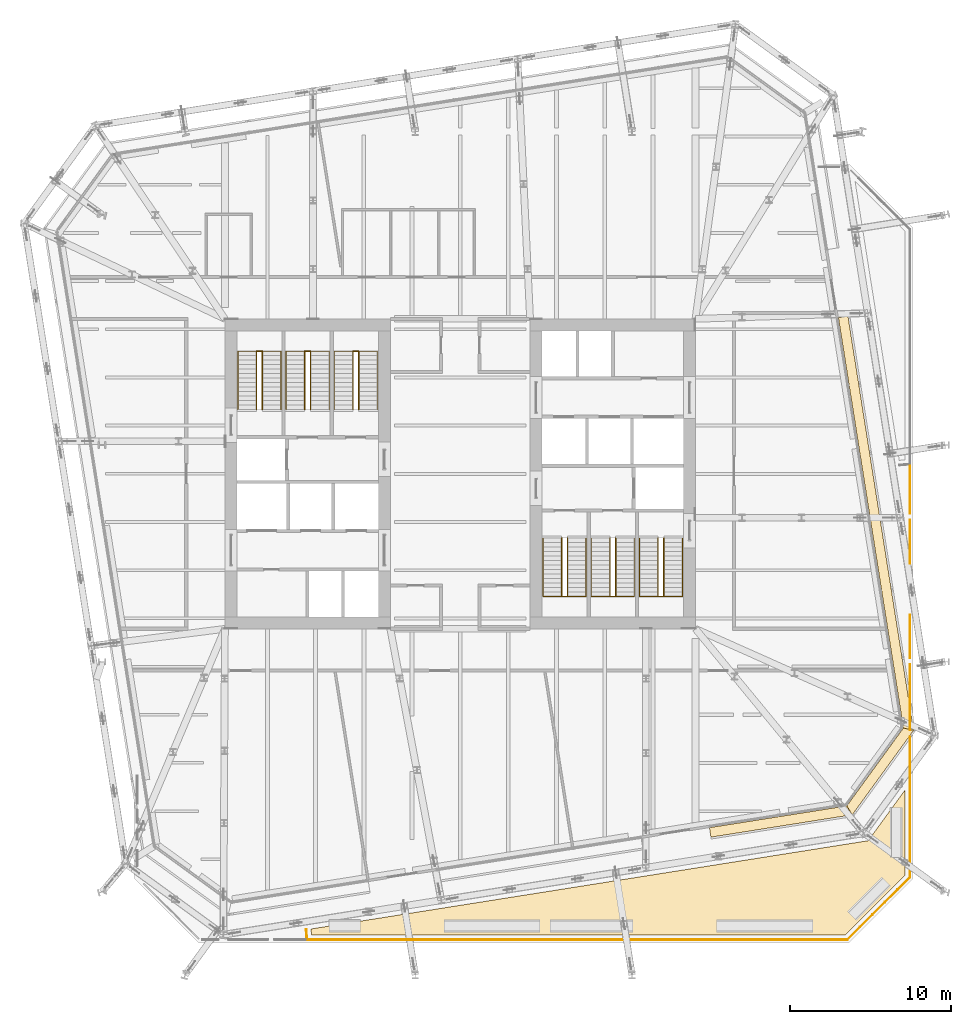
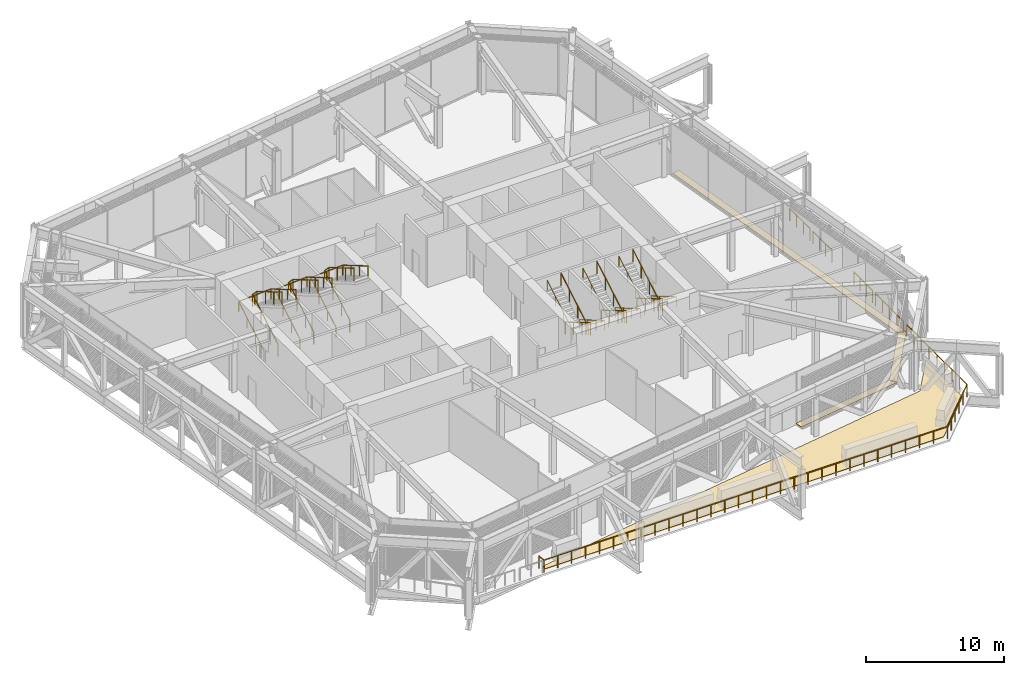
# One storey, part 30 of 32: 18 railings, 4 coverings.
"""IFC4 building model written with IfcOpenShell, lengths in metres."""

from ifc_helpers import new_model, si_unit, direction, frame, origin, origin_2d, place, context, subcontext, project, spatial, polyline, circle, outline, extrude, material, layer, layer_set, type_object, element, save


model = new_model("IFC4")

# Units and contexts
model_context = context("Model", 3, precision=1e-05, world=origin(), true_north=direction((0.0, 1.0)))
body_context = subcontext(model_context, "Body", "Model", "MODEL_VIEW")
ifc_project = project(units=[si_unit("LENGTHUNIT", "METRE"), si_unit("AREAUNIT", "SQUARE_METRE"), si_unit("VOLUMEUNIT", "CUBIC_METRE"), si_unit("PLANEANGLEUNIT", "RADIAN"), si_unit("MASSUNIT", "GRAM", prefix="KILO")], contexts=[model_context])

# Site, building, storey
site_placement = place(None, origin())
site = spatial("IfcSite", under=ifc_project, at=site_placement, CompositionType="ELEMENT")
building_placement = place(site_placement, origin())
building = spatial("IfcBuilding", under=site, at=building_placement, Name="Millrace Tower", CompositionType="ELEMENT")
storey_placement = place(building_placement, frame((0.0, 0.0, 124.89990234375)))
storey = spatial("IfcBuildingStorey", under=building, at=storey_placement, Name="L27", CompositionType="ELEMENT", Elevation=124.89990234375)

# Coverings
ifc_material_1 = material(Name="Steel ASTM A36", Category="steel")
ifc_layer_1 = layer(ifc_material_1, 0.050048828125)
ifc_layer_set_1 = layer_set([ifc_layer_1], Name="Steel ASTM A36")
covering_type_1 = type_object("IfcCoveringType", Name="CAVITY CATWALK steel grating", PredefinedType="FLOORING", material=ifc_layer_set_1)
placement = place(storey_placement, frame((0.0, 0.0, 0.10009765625)))
element("IfcCovering", 1, at=placement, inside=storey, type_object=covering_type_1, Name="Cavity catwalk grating C-F02 L27 3", PredefinedType="FLOORING", context=body_context, shape_type="SweptSolid", body=[
    extrude(outline(polyline([(15.611083984375, -22.619873046875), (24.412109375, -21.225830078125), (24.07275390625, -20.672119140625), (15.517333984375, -22.027099609375), (15.611083984375, -22.619873046875)])), origin(), (0.0, 0.0, 1.0), 0.050048828125),
])
element("IfcCovering", 2, at=placement, inside=storey, type_object=covering_type_1, Name="Cavity catwalk grating C-F03 L27 1", PredefinedType="FLOORING", context=body_context, shape_type="SweptSolid", body=[
    extrude(outline(polyline([(24.412109375, -21.225830078125), (28.22705078125, -15.97509765625), (27.595458984375, -15.823486328125), (24.07275390625, -20.672119140625), (24.412109375, -21.225830078125)])), origin(), (0.0, 0.0, 1.0), 0.050048828125),
])
element("IfcCovering", 3, at=placement, inside=storey, type_object=covering_type_1, Name="Cavity catwalk grating C-F04 L27 1", PredefinedType="FLOORING", context=body_context, shape_type="SweptSolid", body=[
    extrude(outline(polyline([(28.22705078125, -15.97509765625), (24.142333984375, 9.814208984375), (23.5498046875, 9.72021484375), (27.595458984375, -15.823486328125), (28.22705078125, -15.97509765625)])), origin(), (0.0, 0.0, 1.0), 0.050048828125),
])
ifc_material_2 = material(Name="Bituminous roofing membrane on rigid insulation")
ifc_layer_2 = layer(ifc_material_2, 0.0400390625)
ifc_layer_set_2 = layer_set([ifc_layer_2], Name="Bituminous roofing membrane on rigid insulation")
covering_type_2 = type_object("IfcCoveringType", Name="Roofing membrane and insulation 40 mm", PredefinedType="ROOFING", material=ifc_layer_set_2)
covering_4_placement = place(storey_placement, origin())
element("IfcCovering", 4, at=covering_4_placement, inside=storey, type_object=covering_type_2, Name="Roofing membrane and insulation T-L26-1", PredefinedType="ROOFING", context=body_context, shape_type="SweptSolid", body=[
    extrude(outline(polyline([(27.699951171875, -19.677734375), (25.40185546875, -22.8408203125), (-9.288818359375, -28.33544921875), (-9.26025390625, -28.699951171875), (23.992919921875, -28.699951171875), (27.699951171875, -24.992919921875), (27.699951171875, -19.677734375)])), origin(), (0.0, 0.0, 1.0), 0.0400390625),
])

# Railings
ifc_material_3 = material(Name="Stainless steel ASTM A240 type 316", Category="steel")
railing_type_1 = type_object("IfcRailingType", Name="Stair guard 1100", PredefinedType="GUARDRAIL", material=ifc_material_3)
for number, where, name in (
    (5, (-12.679931640625, 4.0, 0.164306640625), "Stair guard 1 W L27"),
    (6, (-9.679931640625, 4.0, 0.164306640625), "Stair guard 2 W L27"),
    (7, (-6.679931640625, 4.0, 0.164306640625), "Stair guard 3 W L27"),
):
    element("IfcRailing", number, at=place(storey_placement, frame(where)), inside=storey, type_object=railing_type_1, Name=name, PredefinedType="GUARDRAIL", context=body_context, shape_type="SweptSolid", body=[
        extrude(circle(Radius=0.02392578125, at=origin_2d()), frame((0.0, 0.0, 1.076171875), z_axis=(0.0, 0.862489892076, 0.506074289079), x_axis=(-1.0, 0.0, 0.0)), (0.0, 0.0, 1.0), 4.22021484375),
        extrude(circle(Radius=0.02392578125, at=origin_2d()), frame((0.0, 3.639892578125, 3.2119140625), z_axis=(0.90966772904, 0.0, 0.415336758239), x_axis=(0.0, 1.0, 0.0)), (0.0, 0.0, 1.0), 0.3955078125),
        extrude(circle(Radius=0.02392578125, at=origin_2d()), frame((0.35986328125, 3.639892578125, 3.3759765625), z_axis=(0.0, -0.862489892076, 0.506074289079), x_axis=(1.0, 0.0, 0.0)), (0.0, 0.0, 1.0), 4.22021484375),
        extrude(circle(Radius=0.02099609375, at=origin_2d()), origin(), (0.0, 0.0, 1.0), 1.052001953125),
        extrude(circle(Radius=0.02099609375, at=origin_2d()), frame((0.0, 1.21337890625, 0.7119140625)), (0.0, 0.0, 1.0), 1.052001953125),
        extrude(circle(Radius=0.02099609375, at=origin_2d()), frame((0.0, 2.426513671875, 1.423828125)), (0.0, 0.0, 1.0), 1.052001953125),
        extrude(circle(Radius=0.02099609375, at=origin_2d()), frame((0.0, 3.639892578125, 2.1357421875)), (0.0, 0.0, 1.0), 1.052001953125),
        extrude(circle(Radius=0.02099609375, at=origin_2d()), frame((0.35986328125, 3.639892578125, 2.300048828125)), (0.0, 0.0, 1.0), 1.052001953125),
        extrude(circle(Radius=0.02099609375, at=origin_2d()), frame((0.35986328125, 2.426513671875, 3.011962890625)), (0.0, 0.0, 1.0), 1.052001953125),
        extrude(circle(Radius=0.02099609375, at=origin_2d()), frame((0.35986328125, 1.21337890625, 3.723876953125)), (0.0, 0.0, 1.0), 1.052001953125),
        extrude(circle(Radius=0.02099609375, at=origin_2d()), frame((0.35986328125, 0.0, 4.435791015625)), (0.0, 0.0, 1.0), 1.052001953125),
    ])
for number, where, name in (
    (8, (12.679931640625, -4.0, 0.164306640625), "Stair guard 1 E L27"),
    (9, (9.679931640625, -4.0, 0.164306640625), "Stair guard 2 E L27"),
    (10, (6.679931640625, -4.0, 0.164306640625), "Stair guard 3 E L27"),
):
    element("IfcRailing", number, at=place(storey_placement, frame(where)), inside=storey, type_object=railing_type_1, Name=name, PredefinedType="GUARDRAIL", context=body_context, shape_type="SweptSolid", body=[
        extrude(circle(Radius=0.02392578125, at=origin_2d()), frame((0.0, 0.0, 1.076171875), z_axis=(0.0, -0.862489892076, 0.506074289079), x_axis=(1.0, 0.0, 0.0)), (0.0, 0.0, 1.0), 4.22021484375),
        extrude(circle(Radius=0.02392578125, at=origin_2d()), frame((0.0, -3.639892578125, 3.2119140625), z_axis=(-0.90966772904, 0.0, 0.415336758239), x_axis=(0.0, -1.0, 0.0)), (0.0, 0.0, 1.0), 0.3955078125),
        extrude(circle(Radius=0.02392578125, at=origin_2d()), frame((-0.35986328125, -3.639892578125, 3.3759765625), z_axis=(0.0, 0.862489892076, 0.506074289079), x_axis=(-1.0, 0.0, 0.0)), (0.0, 0.0, 1.0), 4.22021484375),
        extrude(circle(Radius=0.02099609375, at=origin_2d()), origin(), (0.0, 0.0, 1.0), 1.052001953125),
        extrude(circle(Radius=0.02099609375, at=origin_2d()), frame((0.0, -1.21337890625, 0.7119140625)), (0.0, 0.0, 1.0), 1.052001953125),
        extrude(circle(Radius=0.02099609375, at=origin_2d()), frame((0.0, -2.426513671875, 1.423828125)), (0.0, 0.0, 1.0), 1.052001953125),
        extrude(circle(Radius=0.02099609375, at=origin_2d()), frame((0.0, -3.639892578125, 2.1357421875)), (0.0, 0.0, 1.0), 1.052001953125),
        extrude(circle(Radius=0.02099609375, at=origin_2d()), frame((-0.35986328125, -3.639892578125, 2.300048828125)), (0.0, 0.0, 1.0), 1.052001953125),
        extrude(circle(Radius=0.02099609375, at=origin_2d()), frame((-0.35986328125, -2.426513671875, 3.011962890625)), (0.0, 0.0, 1.0), 1.052001953125),
        extrude(circle(Radius=0.02099609375, at=origin_2d()), frame((-0.35986328125, -1.21337890625, 3.723876953125)), (0.0, 0.0, 1.0), 1.052001953125),
        extrude(circle(Radius=0.02099609375, at=origin_2d()), frame((-0.35986328125, 0.0, 4.435791015625)), (0.0, 0.0, 1.0), 1.052001953125),
    ])
ifc_material_4 = material(Name="Stainless steel ASTM A240 type 316", Category="steel")
railing_type_2 = type_object("IfcRailingType", Name="Stair handrail 900", PredefinedType="HANDRAIL", material=ifc_material_4)
railing_1_placement = place(storey_placement, frame((-13.840087890625, 4.0, 0.164306640625)))
element("IfcRailing", 11, at=railing_1_placement, inside=storey, type_object=railing_type_2, Name="Stair handrail 1 W L27", PredefinedType="HANDRAIL", context=body_context, shape_type="SweptSolid", body=[
    extrude(circle(Radius=0.02392578125, at=origin_2d()), frame((0.0, 0.0, 0.8759765625), z_axis=(0.0, 0.862489892076, 0.506074289079), x_axis=(-1.0, 0.0, 0.0)), (0.0, 0.0, 1.0), 4.22021484375),
    extrude(circle(Radius=0.02392578125, at=origin_2d()), frame((0.0, 3.639892578125, 3.01171875), z_axis=(0.998126163697, 0.0, 0.061189552575), x_axis=(0.0, 1.0, 0.0)), (0.0, 0.0, 1.0), 2.685302734375),
    extrude(circle(Radius=0.02392578125, at=origin_2d()), frame((2.68017578125, 3.639892578125, 3.17578125), z_axis=(0.0, -0.862489892076, 0.506074289079), x_axis=(1.0, 0.0, 0.0)), (0.0, 0.0, 1.0), 4.22021484375),
    extrude(circle(Radius=0.02099609375, at=origin_2d()), origin(), (0.0, 0.0, 1.0), 0.851806640625),
    extrude(circle(Radius=0.02099609375, at=origin_2d()), frame((0.0, 1.21337890625, 0.7119140625)), (0.0, 0.0, 1.0), 0.851806640625),
    extrude(circle(Radius=0.02099609375, at=origin_2d()), frame((0.0, 2.426513671875, 1.423828125)), (0.0, 0.0, 1.0), 0.851806640625),
    extrude(circle(Radius=0.02099609375, at=origin_2d()), frame((0.0, 3.639892578125, 2.1357421875)), (0.0, 0.0, 1.0), 0.851806640625),
    extrude(circle(Radius=0.02099609375, at=origin_2d()), frame((1.340087890625, 3.639892578125, 2.2177734375)), (0.0, 0.0, 1.0), 0.851806640625),
    extrude(circle(Radius=0.02099609375, at=origin_2d()), frame((2.68017578125, 3.639892578125, 2.300048828125)), (0.0, 0.0, 1.0), 0.851806640625),
    extrude(circle(Radius=0.02099609375, at=origin_2d()), frame((2.68017578125, 2.426513671875, 3.011962890625)), (0.0, 0.0, 1.0), 0.851806640625),
    extrude(circle(Radius=0.02099609375, at=origin_2d()), frame((2.68017578125, 1.21337890625, 3.723876953125)), (0.0, 0.0, 1.0), 0.851806640625),
    extrude(circle(Radius=0.02099609375, at=origin_2d()), frame((2.68017578125, 0.0, 4.435791015625)), (0.0, 0.0, 1.0), 0.851806640625),
])
railing_2_placement = place(storey_placement, frame((-10.840087890625, 4.0, 0.164306640625)))
element("IfcRailing", 12, at=railing_2_placement, inside=storey, type_object=railing_type_2, Name="Stair handrail 2 W L27", PredefinedType="HANDRAIL", context=body_context, shape_type="SweptSolid", body=[
    extrude(circle(Radius=0.02392578125, at=origin_2d()), frame((0.0, 0.0, 0.8759765625), z_axis=(0.0, 0.862489892076, 0.506074289079), x_axis=(-1.0, 0.0, 0.0)), (0.0, 0.0, 1.0), 4.22021484375),
    extrude(circle(Radius=0.02392578125, at=origin_2d()), frame((0.0, 3.639892578125, 3.01171875), z_axis=(0.998126163697, 0.0, 0.061189552575), x_axis=(0.0, 1.0, 0.0)), (0.0, 0.0, 1.0), 2.685302734375),
    extrude(circle(Radius=0.02392578125, at=origin_2d()), frame((2.68017578125, 3.639892578125, 3.17578125), z_axis=(0.0, -0.862489892076, 0.506074289079), x_axis=(1.0, 0.0, 0.0)), (0.0, 0.0, 1.0), 4.22021484375),
    extrude(circle(Radius=0.02099609375, at=origin_2d()), origin(), (0.0, 0.0, 1.0), 0.851806640625),
    extrude(circle(Radius=0.02099609375, at=origin_2d()), frame((0.0, 1.21337890625, 0.7119140625)), (0.0, 0.0, 1.0), 0.851806640625),
    extrude(circle(Radius=0.02099609375, at=origin_2d()), frame((0.0, 2.426513671875, 1.423828125)), (0.0, 0.0, 1.0), 0.851806640625),
    extrude(circle(Radius=0.02099609375, at=origin_2d()), frame((0.0, 3.639892578125, 2.1357421875)), (0.0, 0.0, 1.0), 0.851806640625),
    extrude(circle(Radius=0.02099609375, at=origin_2d()), frame((1.340087890625, 3.639892578125, 2.2177734375)), (0.0, 0.0, 1.0), 0.851806640625),
    extrude(circle(Radius=0.02099609375, at=origin_2d()), frame((2.68017578125, 3.639892578125, 2.300048828125)), (0.0, 0.0, 1.0), 0.851806640625),
    extrude(circle(Radius=0.02099609375, at=origin_2d()), frame((2.68017578125, 2.426513671875, 3.011962890625)), (0.0, 0.0, 1.0), 0.851806640625),
    extrude(circle(Radius=0.02099609375, at=origin_2d()), frame((2.68017578125, 1.21337890625, 3.723876953125)), (0.0, 0.0, 1.0), 0.851806640625),
    extrude(circle(Radius=0.02099609375, at=origin_2d()), frame((2.68017578125, 0.0, 4.435791015625)), (0.0, 0.0, 1.0), 0.851806640625),
])
railing_3_placement = place(storey_placement, frame((-7.840087890625, 4.0, 0.164306640625)))
element("IfcRailing", 13, at=railing_3_placement, inside=storey, type_object=railing_type_2, Name="Stair handrail 3 W L27", PredefinedType="HANDRAIL", context=body_context, shape_type="SweptSolid", body=[
    extrude(circle(Radius=0.02392578125, at=origin_2d()), frame((0.0, 0.0, 0.8759765625), z_axis=(0.0, 0.862489892076, 0.506074289079), x_axis=(-1.0, 0.0, 0.0)), (0.0, 0.0, 1.0), 4.22021484375),
    extrude(circle(Radius=0.02392578125, at=origin_2d()), frame((0.0, 3.639892578125, 3.01171875), z_axis=(0.998126163697, 0.0, 0.061189552575), x_axis=(0.0, 1.0, 0.0)), (0.0, 0.0, 1.0), 2.685302734375),
    extrude(circle(Radius=0.02392578125, at=origin_2d()), frame((2.68017578125, 3.639892578125, 3.17578125), z_axis=(0.0, -0.862489892076, 0.506074289079), x_axis=(1.0, 0.0, 0.0)), (0.0, 0.0, 1.0), 4.22021484375),
    extrude(circle(Radius=0.02099609375, at=origin_2d()), origin(), (0.0, 0.0, 1.0), 0.851806640625),
    extrude(circle(Radius=0.02099609375, at=origin_2d()), frame((0.0, 1.21337890625, 0.7119140625)), (0.0, 0.0, 1.0), 0.851806640625),
    extrude(circle(Radius=0.02099609375, at=origin_2d()), frame((0.0, 2.426513671875, 1.423828125)), (0.0, 0.0, 1.0), 0.851806640625),
    extrude(circle(Radius=0.02099609375, at=origin_2d()), frame((0.0, 3.639892578125, 2.1357421875)), (0.0, 0.0, 1.0), 0.851806640625),
    extrude(circle(Radius=0.02099609375, at=origin_2d()), frame((1.340087890625, 3.639892578125, 2.2177734375)), (0.0, 0.0, 1.0), 0.851806640625),
    extrude(circle(Radius=0.02099609375, at=origin_2d()), frame((2.68017578125, 3.639892578125, 2.300048828125)), (0.0, 0.0, 1.0), 0.851806640625),
    extrude(circle(Radius=0.02099609375, at=origin_2d()), frame((2.68017578125, 2.426513671875, 3.011962890625)), (0.0, 0.0, 1.0), 0.851806640625),
    extrude(circle(Radius=0.02099609375, at=origin_2d()), frame((2.68017578125, 1.21337890625, 3.723876953125)), (0.0, 0.0, 1.0), 0.851806640625),
    extrude(circle(Radius=0.02099609375, at=origin_2d()), frame((2.68017578125, 0.0, 4.435791015625)), (0.0, 0.0, 1.0), 0.851806640625),
])
railing_4_placement = place(storey_placement, frame((13.840087890625, -4.0, 0.164306640625)))
element("IfcRailing", 14, at=railing_4_placement, inside=storey, type_object=railing_type_2, Name="Stair handrail 1 E L27", PredefinedType="HANDRAIL", context=body_context, shape_type="SweptSolid", body=[
    extrude(circle(Radius=0.02392578125, at=origin_2d()), frame((0.0, 0.0, 0.8759765625), z_axis=(0.0, -0.862489892076, 0.506074289079), x_axis=(1.0, 0.0, 0.0)), (0.0, 0.0, 1.0), 4.22021484375),
    extrude(circle(Radius=0.02392578125, at=origin_2d()), frame((0.0, -3.639892578125, 3.01171875), z_axis=(-0.998126163697, 0.0, 0.061189552575), x_axis=(0.0, -1.0, 0.0)), (0.0, 0.0, 1.0), 2.685302734375),
    extrude(circle(Radius=0.02392578125, at=origin_2d()), frame((-2.68017578125, -3.639892578125, 3.17578125), z_axis=(0.0, 0.862489892076, 0.506074289079), x_axis=(-1.0, 0.0, 0.0)), (0.0, 0.0, 1.0), 4.22021484375),
    extrude(circle(Radius=0.02099609375, at=origin_2d()), origin(), (0.0, 0.0, 1.0), 0.851806640625),
    extrude(circle(Radius=0.02099609375, at=origin_2d()), frame((0.0, -1.21337890625, 0.7119140625)), (0.0, 0.0, 1.0), 0.851806640625),
    extrude(circle(Radius=0.02099609375, at=origin_2d()), frame((0.0, -2.426513671875, 1.423828125)), (0.0, 0.0, 1.0), 0.851806640625),
    extrude(circle(Radius=0.02099609375, at=origin_2d()), frame((0.0, -3.639892578125, 2.1357421875)), (0.0, 0.0, 1.0), 0.851806640625),
    extrude(circle(Radius=0.02099609375, at=origin_2d()), frame((-1.340087890625, -3.639892578125, 2.2177734375)), (0.0, 0.0, 1.0), 0.851806640625),
    extrude(circle(Radius=0.02099609375, at=origin_2d()), frame((-2.68017578125, -3.639892578125, 2.300048828125)), (0.0, 0.0, 1.0), 0.851806640625),
    extrude(circle(Radius=0.02099609375, at=origin_2d()), frame((-2.68017578125, -2.426513671875, 3.011962890625)), (0.0, 0.0, 1.0), 0.851806640625),
    extrude(circle(Radius=0.02099609375, at=origin_2d()), frame((-2.68017578125, -1.21337890625, 3.723876953125)), (0.0, 0.0, 1.0), 0.851806640625),
    extrude(circle(Radius=0.02099609375, at=origin_2d()), frame((-2.68017578125, 0.0, 4.435791015625)), (0.0, 0.0, 1.0), 0.851806640625),
])
railing_5_placement = place(storey_placement, frame((10.840087890625, -4.0, 0.164306640625)))
element("IfcRailing", 15, at=railing_5_placement, inside=storey, type_object=railing_type_2, Name="Stair handrail 2 E L27", PredefinedType="HANDRAIL", context=body_context, shape_type="SweptSolid", body=[
    extrude(circle(Radius=0.02392578125, at=origin_2d()), frame((0.0, 0.0, 0.8759765625), z_axis=(0.0, -0.862489892076, 0.506074289079), x_axis=(1.0, 0.0, 0.0)), (0.0, 0.0, 1.0), 4.22021484375),
    extrude(circle(Radius=0.02392578125, at=origin_2d()), frame((0.0, -3.639892578125, 3.01171875), z_axis=(-0.998126163697, 0.0, 0.061189552575), x_axis=(0.0, -1.0, 0.0)), (0.0, 0.0, 1.0), 2.685302734375),
    extrude(circle(Radius=0.02392578125, at=origin_2d()), frame((-2.68017578125, -3.639892578125, 3.17578125), z_axis=(0.0, 0.862489892076, 0.506074289079), x_axis=(-1.0, 0.0, 0.0)), (0.0, 0.0, 1.0), 4.22021484375),
    extrude(circle(Radius=0.02099609375, at=origin_2d()), origin(), (0.0, 0.0, 1.0), 0.851806640625),
    extrude(circle(Radius=0.02099609375, at=origin_2d()), frame((0.0, -1.21337890625, 0.7119140625)), (0.0, 0.0, 1.0), 0.851806640625),
    extrude(circle(Radius=0.02099609375, at=origin_2d()), frame((0.0, -2.426513671875, 1.423828125)), (0.0, 0.0, 1.0), 0.851806640625),
    extrude(circle(Radius=0.02099609375, at=origin_2d()), frame((0.0, -3.639892578125, 2.1357421875)), (0.0, 0.0, 1.0), 0.851806640625),
    extrude(circle(Radius=0.02099609375, at=origin_2d()), frame((-1.340087890625, -3.639892578125, 2.2177734375)), (0.0, 0.0, 1.0), 0.851806640625),
    extrude(circle(Radius=0.02099609375, at=origin_2d()), frame((-2.68017578125, -3.639892578125, 2.300048828125)), (0.0, 0.0, 1.0), 0.851806640625),
    extrude(circle(Radius=0.02099609375, at=origin_2d()), frame((-2.68017578125, -2.426513671875, 3.011962890625)), (0.0, 0.0, 1.0), 0.851806640625),
    extrude(circle(Radius=0.02099609375, at=origin_2d()), frame((-2.68017578125, -1.21337890625, 3.723876953125)), (0.0, 0.0, 1.0), 0.851806640625),
    extrude(circle(Radius=0.02099609375, at=origin_2d()), frame((-2.68017578125, 0.0, 4.435791015625)), (0.0, 0.0, 1.0), 0.851806640625),
])
railing_6_placement = place(storey_placement, frame((7.840087890625, -4.0, 0.164306640625)))
element("IfcRailing", 16, at=railing_6_placement, inside=storey, type_object=railing_type_2, Name="Stair handrail 3 E L27", PredefinedType="HANDRAIL", context=body_context, shape_type="SweptSolid", body=[
    extrude(circle(Radius=0.02392578125, at=origin_2d()), frame((0.0, 0.0, 0.8759765625), z_axis=(0.0, -0.862489892076, 0.506074289079), x_axis=(1.0, 0.0, 0.0)), (0.0, 0.0, 1.0), 4.22021484375),
    extrude(circle(Radius=0.02392578125, at=origin_2d()), frame((0.0, -3.639892578125, 3.01171875), z_axis=(-0.998126163697, 0.0, 0.061189552575), x_axis=(0.0, -1.0, 0.0)), (0.0, 0.0, 1.0), 2.685302734375),
    extrude(circle(Radius=0.02392578125, at=origin_2d()), frame((-2.68017578125, -3.639892578125, 3.17578125), z_axis=(0.0, 0.862489892076, 0.506074289079), x_axis=(-1.0, 0.0, 0.0)), (0.0, 0.0, 1.0), 4.22021484375),
    extrude(circle(Radius=0.02099609375, at=origin_2d()), origin(), (0.0, 0.0, 1.0), 0.851806640625),
    extrude(circle(Radius=0.02099609375, at=origin_2d()), frame((0.0, -1.21337890625, 0.7119140625)), (0.0, 0.0, 1.0), 0.851806640625),
    extrude(circle(Radius=0.02099609375, at=origin_2d()), frame((0.0, -2.426513671875, 1.423828125)), (0.0, 0.0, 1.0), 0.851806640625),
    extrude(circle(Radius=0.02099609375, at=origin_2d()), frame((0.0, -3.639892578125, 2.1357421875)), (0.0, 0.0, 1.0), 0.851806640625),
    extrude(circle(Radius=0.02099609375, at=origin_2d()), frame((-1.340087890625, -3.639892578125, 2.2177734375)), (0.0, 0.0, 1.0), 0.851806640625),
    extrude(circle(Radius=0.02099609375, at=origin_2d()), frame((-2.68017578125, -3.639892578125, 2.300048828125)), (0.0, 0.0, 1.0), 0.851806640625),
    extrude(circle(Radius=0.02099609375, at=origin_2d()), frame((-2.68017578125, -2.426513671875, 3.011962890625)), (0.0, 0.0, 1.0), 0.851806640625),
    extrude(circle(Radius=0.02099609375, at=origin_2d()), frame((-2.68017578125, -1.21337890625, 3.723876953125)), (0.0, 0.0, 1.0), 0.851806640625),
    extrude(circle(Radius=0.02099609375, at=origin_2d()), frame((-2.68017578125, 0.0, 4.435791015625)), (0.0, 0.0, 1.0), 0.851806640625),
])
ifc_material_5 = material(Name="Stainless steel ASTM A240 type 316", Category="steel")
railing_type_3 = type_object("IfcRailingType", Name="Terrace guard 1100", PredefinedType="GUARDRAIL", material=ifc_material_5)
railing_7_placement = place(storey_placement, frame((-9.587890625, -28.35888671875, 0.0)))
element("IfcRailing", 17, at=railing_7_placement, inside=storey, type_object=railing_type_3, Name="Terrace guard T-L26-1 1", PredefinedType="GUARDRAIL", context=body_context, shape_type="SweptSolid", body=[
    extrude(circle(Radius=0.02392578125, at=origin_2d()), frame((0.0, 0.0, 1.076171875), z_axis=(0.078206042169, -0.996937217165, 0.0), x_axis=(0.996937217165, 0.078206042169, 0.0)), (0.0, 0.0, 1.0), 0.64306640625),
    extrude(circle(Radius=0.02392578125, at=origin_2d()), frame((0.05029296875, -0.64111328125, 1.076171875), z_axis=(1.0, 0.0, 0.0), x_axis=(0.0, 1.0, 0.0)), (0.0, 0.0, 1.0), 33.65478515625),
    extrude(circle(Radius=0.02392578125, at=origin_2d()), frame((33.705078125, -0.64111328125, 1.076171875), z_axis=(0.707106781187, 0.707106781187, 0.0), x_axis=(-0.707106781187, 0.707106781187, 0.0)), (0.0, 0.0, 1.0), 5.4912109375),
    extrude(circle(Radius=0.02392578125, at=origin_2d()), frame((37.587890625, 3.24169921875, 1.076171875), z_axis=(0.0, 1.0, 0.0), x_axis=(-1.0, 0.0, 0.0)), (0.0, 0.0, 1.0), 5.439453125),
    extrude(circle(Radius=0.02099609375, at=origin_2d()), origin(), (0.0, 0.0, 1.0), 1.052001953125),
    extrude(circle(Radius=0.02099609375, at=origin_2d()), frame((0.05029296875, -0.64111328125, 0.0)), (0.0, 0.0, 1.0), 1.052001953125),
    extrude(circle(Radius=0.02099609375, at=origin_2d()), frame((1.210693359375, -0.64111328125, 0.0)), (0.0, 0.0, 1.0), 1.052001953125),
    extrude(circle(Radius=0.02099609375, at=origin_2d()), frame((2.371337890625, -0.64111328125, 0.0)), (0.0, 0.0, 1.0), 1.052001953125),
    extrude(circle(Radius=0.02099609375, at=origin_2d()), frame((3.53173828125, -0.64111328125, 0.0)), (0.0, 0.0, 1.0), 1.052001953125),
    extrude(circle(Radius=0.02099609375, at=origin_2d()), frame((4.6923828125, -0.64111328125, 0.0)), (0.0, 0.0, 1.0), 1.052001953125),
    extrude(circle(Radius=0.02099609375, at=origin_2d()), frame((5.852783203125, -0.64111328125, 0.0)), (0.0, 0.0, 1.0), 1.052001953125),
    extrude(circle(Radius=0.02099609375, at=origin_2d()), frame((7.013427734375, -0.64111328125, 0.0)), (0.0, 0.0, 1.0), 1.052001953125),
    extrude(circle(Radius=0.02099609375, at=origin_2d()), frame((8.173828125, -0.64111328125, 0.0)), (0.0, 0.0, 1.0), 1.052001953125),
    extrude(circle(Radius=0.02099609375, at=origin_2d()), frame((9.33447265625, -0.64111328125, 0.0)), (0.0, 0.0, 1.0), 1.052001953125),
    extrude(circle(Radius=0.02099609375, at=origin_2d()), frame((10.494873046875, -0.64111328125, 0.0)), (0.0, 0.0, 1.0), 1.052001953125),
    extrude(circle(Radius=0.02099609375, at=origin_2d()), frame((11.6552734375, -0.64111328125, 0.0)), (0.0, 0.0, 1.0), 1.052001953125),
    extrude(circle(Radius=0.02099609375, at=origin_2d()), frame((12.81591796875, -0.64111328125, 0.0)), (0.0, 0.0, 1.0), 1.052001953125),
    extrude(circle(Radius=0.02099609375, at=origin_2d()), frame((13.976318359375, -0.64111328125, 0.0)), (0.0, 0.0, 1.0), 1.052001953125),
    extrude(circle(Radius=0.02099609375, at=origin_2d()), frame((15.136962890625, -0.64111328125, 0.0)), (0.0, 0.0, 1.0), 1.052001953125),
    extrude(circle(Radius=0.02099609375, at=origin_2d()), frame((16.29736328125, -0.64111328125, 0.0)), (0.0, 0.0, 1.0), 1.052001953125),
    extrude(circle(Radius=0.02099609375, at=origin_2d()), frame((17.4580078125, -0.64111328125, 0.0)), (0.0, 0.0, 1.0), 1.052001953125),
    extrude(circle(Radius=0.02099609375, at=origin_2d()), frame((18.618408203125, -0.64111328125, 0.0)), (0.0, 0.0, 1.0), 1.052001953125),
    extrude(circle(Radius=0.02099609375, at=origin_2d()), frame((19.779052734375, -0.64111328125, 0.0)), (0.0, 0.0, 1.0), 1.052001953125),
    extrude(circle(Radius=0.02099609375, at=origin_2d()), frame((20.939453125, -0.64111328125, 0.0)), (0.0, 0.0, 1.0), 1.052001953125),
    extrude(circle(Radius=0.02099609375, at=origin_2d()), frame((22.10009765625, -0.64111328125, 0.0)), (0.0, 0.0, 1.0), 1.052001953125),
    extrude(circle(Radius=0.02099609375, at=origin_2d()), frame((23.260498046875, -0.64111328125, 0.0)), (0.0, 0.0, 1.0), 1.052001953125),
    extrude(circle(Radius=0.02099609375, at=origin_2d()), frame((24.4208984375, -0.64111328125, 0.0)), (0.0, 0.0, 1.0), 1.052001953125),
    extrude(circle(Radius=0.02099609375, at=origin_2d()), frame((25.58154296875, -0.64111328125, 0.0)), (0.0, 0.0, 1.0), 1.052001953125),
    extrude(circle(Radius=0.02099609375, at=origin_2d()), frame((26.741943359375, -0.64111328125, 0.0)), (0.0, 0.0, 1.0), 1.052001953125),
    extrude(circle(Radius=0.02099609375, at=origin_2d()), frame((27.902587890625, -0.64111328125, 0.0)), (0.0, 0.0, 1.0), 1.052001953125),
    extrude(circle(Radius=0.02099609375, at=origin_2d()), frame((29.06298828125, -0.64111328125, 0.0)), (0.0, 0.0, 1.0), 1.052001953125),
    extrude(circle(Radius=0.02099609375, at=origin_2d()), frame((30.2236328125, -0.64111328125, 0.0)), (0.0, 0.0, 1.0), 1.052001953125),
    extrude(circle(Radius=0.02099609375, at=origin_2d()), frame((31.384033203125, -0.64111328125, 0.0)), (0.0, 0.0, 1.0), 1.052001953125),
    extrude(circle(Radius=0.02099609375, at=origin_2d()), frame((32.544677734375, -0.64111328125, 0.0)), (0.0, 0.0, 1.0), 1.052001953125),
    extrude(circle(Radius=0.02099609375, at=origin_2d()), frame((33.705078125, -0.64111328125, 0.0)), (0.0, 0.0, 1.0), 1.052001953125),
    extrude(circle(Radius=0.02099609375, at=origin_2d()), frame((34.481689453125, 0.135498046875, 0.0)), (0.0, 0.0, 1.0), 1.052001953125),
    extrude(circle(Radius=0.02099609375, at=origin_2d()), frame((35.25830078125, 0.912109375, 0.0)), (0.0, 0.0, 1.0), 1.052001953125),
    extrude(circle(Radius=0.02099609375, at=origin_2d()), frame((36.03466796875, 1.6884765625, 0.0)), (0.0, 0.0, 1.0), 1.052001953125),
    extrude(circle(Radius=0.02099609375, at=origin_2d()), frame((36.811279296875, 2.465087890625, 0.0)), (0.0, 0.0, 1.0), 1.052001953125),
    extrude(circle(Radius=0.02099609375, at=origin_2d()), frame((37.587890625, 3.24169921875, 0.0)), (0.0, 0.0, 1.0), 1.052001953125),
    extrude(circle(Radius=0.02099609375, at=origin_2d()), frame((37.587890625, 4.32958984375, 0.0)), (0.0, 0.0, 1.0), 1.052001953125),
    extrude(circle(Radius=0.02099609375, at=origin_2d()), frame((37.587890625, 5.41748046875, 0.0)), (0.0, 0.0, 1.0), 1.052001953125),
    extrude(circle(Radius=0.02099609375, at=origin_2d()), frame((37.587890625, 6.50537109375, 0.0)), (0.0, 0.0, 1.0), 1.052001953125),
    extrude(circle(Radius=0.02099609375, at=origin_2d()), frame((37.587890625, 7.59326171875, 0.0)), (0.0, 0.0, 1.0), 1.052001953125),
    extrude(circle(Radius=0.02099609375, at=origin_2d()), frame((37.587890625, 8.68115234375, 0.0)), (0.0, 0.0, 1.0), 1.052001953125),
])
railing_8_placement = place(storey_placement, frame((28.0, -16.383544921875, 0.0)))
element("IfcRailing", 18, at=railing_8_placement, inside=storey, type_object=railing_type_3, Name="Terrace guard L26 edge 1.11", PredefinedType="GUARDRAIL", context=body_context, shape_type="SweptSolid", body=[
    extrude(circle(Radius=0.02392578125, at=origin_2d()), frame((0.0, 0.0, 1.076171875), z_axis=(0.0, -1.0, 0.0), x_axis=(1.0, 0.0, 0.0)), (0.0, 0.0, 1.0), 3.1943359375),
    extrude(circle(Radius=0.02099609375, at=origin_2d()), origin(), (0.0, 0.0, 1.0), 1.052001953125),
    extrude(circle(Radius=0.02099609375, at=origin_2d()), frame((0.0, -1.064697265625, 0.0)), (0.0, 0.0, 1.0), 1.052001953125),
    extrude(circle(Radius=0.02099609375, at=origin_2d()), frame((0.0, -2.129638671875, 0.0)), (0.0, 0.0, 1.0), 1.052001953125),
    extrude(circle(Radius=0.02099609375, at=origin_2d()), frame((0.0, -3.1943359375, 0.0)), (0.0, 0.0, 1.0), 1.052001953125),
])
railing_9_placement = place(storey_placement, frame((28.0, -11.883544921875, 0.0)))
element("IfcRailing", 19, at=railing_9_placement, inside=storey, type_object=railing_type_3, Name="Terrace guard L26 edge 1.12", PredefinedType="GUARDRAIL", context=body_context, shape_type="SweptSolid", body=[
    extrude(circle(Radius=0.02392578125, at=origin_2d()), frame((0.0, 0.0, 1.076171875), z_axis=(0.0, -1.0, 0.0), x_axis=(1.0, 0.0, 0.0)), (0.0, 0.0, 1.0), 4.06787109375),
    extrude(circle(Radius=0.02099609375, at=origin_2d()), origin(), (0.0, 0.0, 1.0), 1.052001953125),
    extrude(circle(Radius=0.02099609375, at=origin_2d()), frame((0.0, -1.01708984375, 0.0)), (0.0, 0.0, 1.0), 1.052001953125),
    extrude(circle(Radius=0.02099609375, at=origin_2d()), frame((0.0, -2.033935546875, 0.0)), (0.0, 0.0, 1.0), 1.052001953125),
    extrude(circle(Radius=0.02099609375, at=origin_2d()), frame((0.0, -3.05078125, 0.0)), (0.0, 0.0, 1.0), 1.052001953125),
    extrude(circle(Radius=0.02099609375, at=origin_2d()), frame((0.0, -4.06787109375, 0.0)), (0.0, 0.0, 1.0), 1.052001953125),
])
railing_10_placement = place(storey_placement, frame((28.0, -8.788330078125, 0.0)))
element("IfcRailing", 20, at=railing_10_placement, inside=storey, type_object=railing_type_3, Name="Terrace guard L26 edge 1.13", PredefinedType="GUARDRAIL", context=body_context, shape_type="SweptSolid", body=[
    extrude(circle(Radius=0.02392578125, at=origin_2d()), frame((0.0, 0.0, 1.076171875), z_axis=(0.0, -1.0, 0.0), x_axis=(1.0, 0.0, 0.0)), (0.0, 0.0, 1.0), 2.6630859375),
    extrude(circle(Radius=0.02099609375, at=origin_2d()), origin(), (0.0, 0.0, 1.0), 1.052001953125),
    extrude(circle(Radius=0.02099609375, at=origin_2d()), frame((0.0, -0.8876953125, 0.0)), (0.0, 0.0, 1.0), 1.052001953125),
    extrude(circle(Radius=0.02099609375, at=origin_2d()), frame((0.0, -1.775390625, 0.0)), (0.0, 0.0, 1.0), 1.052001953125),
    extrude(circle(Radius=0.02099609375, at=origin_2d()), frame((0.0, -2.6630859375, 0.0)), (0.0, 0.0, 1.0), 1.052001953125),
])
railing_11_placement = place(storey_placement, frame((28.0, -2.883544921875, 0.0)))
element("IfcRailing", 21, at=railing_11_placement, inside=storey, type_object=railing_type_3, Name="Terrace guard L26 edge 1.14", PredefinedType="GUARDRAIL", context=body_context, shape_type="SweptSolid", body=[
    extrude(circle(Radius=0.02392578125, at=origin_2d()), frame((0.0, 0.0, 1.076171875), z_axis=(0.0, -1.0, 0.0), x_axis=(1.0, 0.0, 0.0)), (0.0, 0.0, 1.0), 2.7080078125),
    extrude(circle(Radius=0.02099609375, at=origin_2d()), origin(), (0.0, 0.0, 1.0), 1.052001953125),
    extrude(circle(Radius=0.02099609375, at=origin_2d()), frame((0.0, -0.902587890625, 0.0)), (0.0, 0.0, 1.0), 1.052001953125),
    extrude(circle(Radius=0.02099609375, at=origin_2d()), frame((0.0, -1.805419921875, 0.0)), (0.0, 0.0, 1.0), 1.052001953125),
    extrude(circle(Radius=0.02099609375, at=origin_2d()), frame((0.0, -2.7080078125, 0.0)), (0.0, 0.0, 1.0), 1.052001953125),
])
railing_12_placement = place(storey_placement, frame((28.0, 0.49267578125, 0.0)))
element("IfcRailing", 22, at=railing_12_placement, inside=storey, type_object=railing_type_3, Name="Terrace guard L26 edge 1.15", PredefinedType="GUARDRAIL", context=body_context, shape_type="SweptSolid", body=[
    extrude(circle(Radius=0.02392578125, at=origin_2d()), frame((0.0, 0.0, 1.076171875), z_axis=(0.0, -1.0, 0.0), x_axis=(1.0, 0.0, 0.0)), (0.0, 0.0, 1.0), 2.944091796875),
    extrude(circle(Radius=0.02099609375, at=origin_2d()), origin(), (0.0, 0.0, 1.0), 1.052001953125),
    extrude(circle(Radius=0.02099609375, at=origin_2d()), frame((0.0, -0.9814453125, 0.0)), (0.0, 0.0, 1.0), 1.052001953125),
    extrude(circle(Radius=0.02099609375, at=origin_2d()), frame((0.0, -1.962646484375, 0.0)), (0.0, 0.0, 1.0), 1.052001953125),
    extrude(circle(Radius=0.02099609375, at=origin_2d()), frame((0.0, -2.944091796875, 0.0)), (0.0, 0.0, 1.0), 1.052001953125),
])

save(model, "model.ifc")
